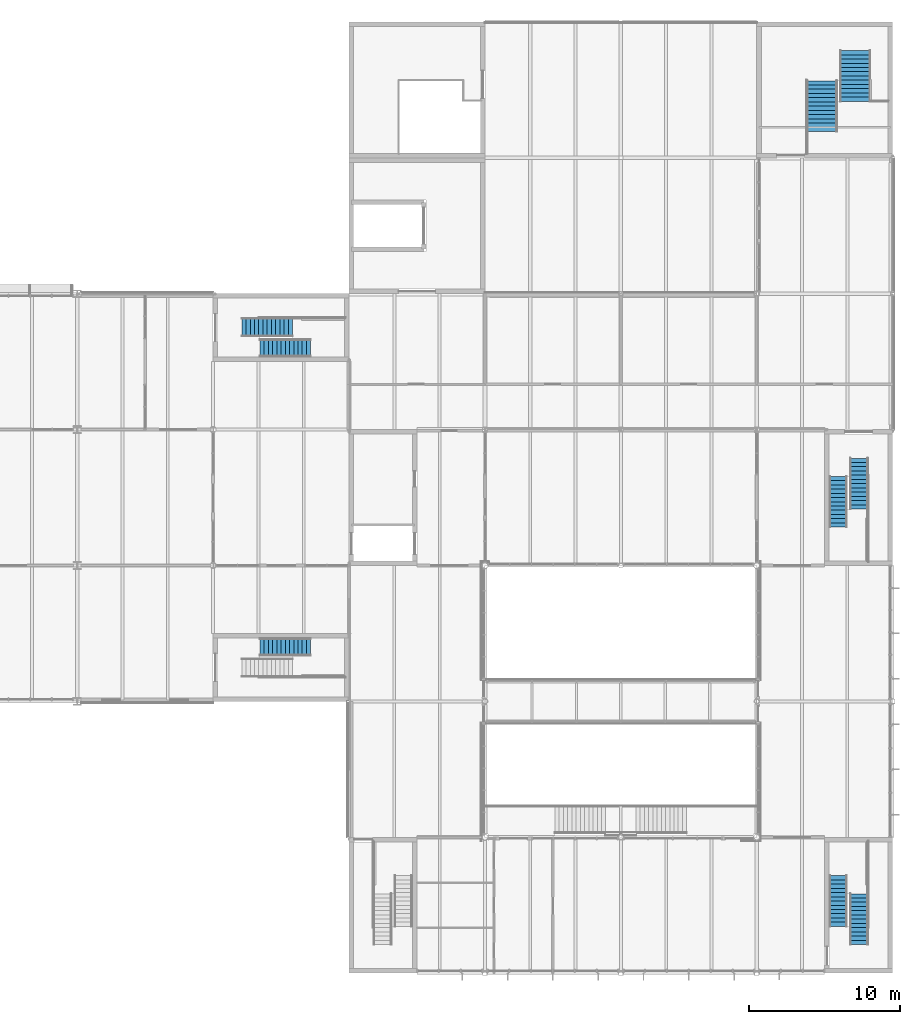
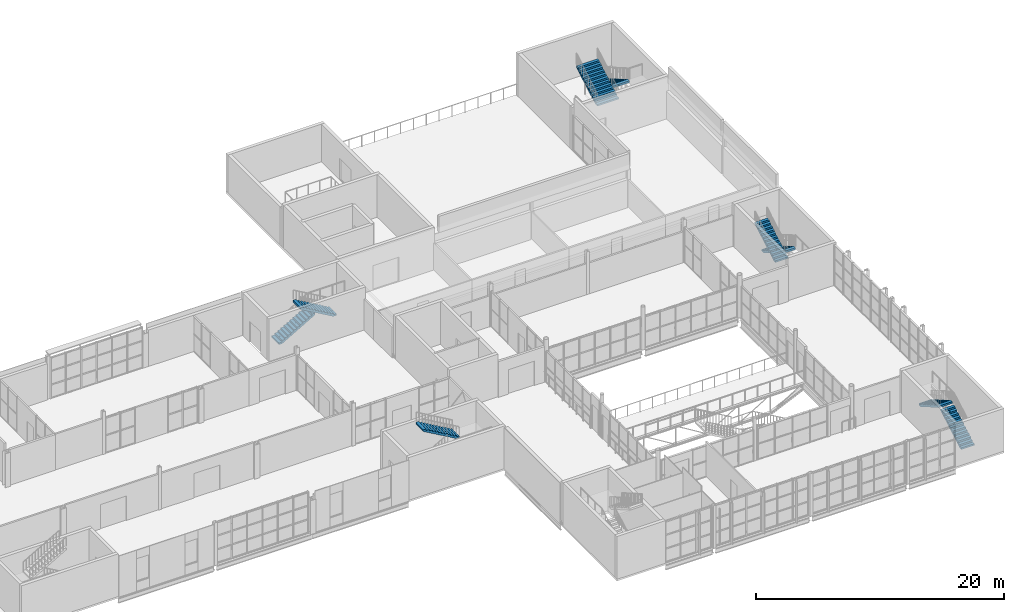
# One storey, part 46 of 61: 9 stair flights, 5 elements without a shape of their own.
"""IFC4 building model written with IfcOpenShell, lengths in metres."""

import ifcopenshell
import ifcopenshell.guid

model = None  # the IFC model being written
_history = None  # IfcOwnerHistory: only IFC2X3 demands one
_inside = {}  # id of a spatial element -> (the spatial element, [elements in it])
_under = {}  # id of a project, library or spatial element -> (it, [spatial elements below it])
_declared = {}  # id of a project -> (the project, [libraries it declares])
_typed = {}  # id of a type object -> (the type object, [elements of that type])
_made_of = {}  # id of a material, layer set ... -> (it, [elements and type objects made of it])


def new_model(schema):
    """Start an empty IFC model of exactly this schema.

    Asked for "IFC4X3", IfcOpenShell would pick the latest addendum, in which some entities
    have other attributes; the version numbers below select the first issue.
    IFC2X3 requires an IfcOwnerHistory on every rooted entity: one is made here for all.
    """
    global model, _history
    if schema == "IFC4X3":
        model = ifcopenshell.file(schema_version=(4, 3, 0, 0))
    else:
        model = ifcopenshell.file(schema=schema)
    _inside.clear()
    _under.clear()
    _declared.clear()
    _typed.clear()
    _made_of.clear()
    _history = None
    if model.schema == "IFC2X3":
        org = make("IfcOrganization", Name="unknown")
        user = make(
            "IfcPersonAndOrganization",
            ThePerson=make("IfcPerson", FamilyName="unknown"),
            TheOrganization=org,
        )
        app = make(
            "IfcApplication",
            ApplicationDeveloper=org,
            Version="unknown",
            ApplicationFullName="unknown",
            ApplicationIdentifier="unknown",
        )
        _history = make(
            "IfcOwnerHistory",
            OwningUser=user,
            OwningApplication=app,
            ChangeAction="ADDED",
            CreationDate=0,
        )
    return model


def make(cls, **values):
    """One entity of the class cls with the attributes given. An attribute that is None is left unset."""
    return model.create_entity(
        cls, **{name: value for name, value in values.items() if value is not None}
    )


def rooted(cls, **values):
    """An entity with a GlobalId (a new one), such as an element, a storey or a relation."""
    return make(cls, GlobalId=ifcopenshell.guid.new(), OwnerHistory=_history, **values)


def si_unit(unit_type, name, prefix=None):
    """IfcSIUnit, for example si_unit("LENGTHUNIT", "METRE", prefix="MILLI")."""
    return make("IfcSIUnit", UnitType=unit_type, Prefix=prefix, Name=name)


def assignment(units):
    """IfcUnitAssignment: the units of a project."""
    return None if units is None else make("IfcUnitAssignment", Units=units)


def point(xyz):
    """IfcCartesianPoint."""
    return None if xyz is None else make("IfcCartesianPoint", Coordinates=xyz)


def direction(xyz):
    """IfcDirection."""
    return None if xyz is None else make("IfcDirection", DirectionRatios=xyz)


def frame(location, z_axis=None, x_axis=None):
    """IfcAxis2Placement3D, a coordinate frame: its origin and axes. An axis left out is left unset."""
    return make(
        "IfcAxis2Placement3D",
        Location=point(location),
        Axis=direction(z_axis),
        RefDirection=direction(x_axis),
    )


def origin():
    """The frame at (0, 0, 0) with its axes left unset."""
    return frame((0.0, 0.0, 0.0))


def place(relative_to, where):
    """IfcLocalPlacement: puts the frame where relative to a parent placement (None: the world)."""
    return make(
        "IfcLocalPlacement", PlacementRelTo=relative_to, RelativePlacement=where
    )


def context(
    kind, dimensions, precision=None, world=None, true_north=None, identifier=None
):
    """IfcGeometricRepresentationContext, for example the 3D "Model" context."""
    return make(
        "IfcGeometricRepresentationContext",
        ContextIdentifier=identifier,
        ContextType=kind,
        CoordinateSpaceDimension=dimensions,
        Precision=precision,
        WorldCoordinateSystem=world,
        TrueNorth=true_north,
    )


def subcontext(parent, identifier, kind, view, scale=None):
    """IfcGeometricRepresentationSubContext, for example "Body" below "Model"."""
    return make(
        "IfcGeometricRepresentationSubContext",
        ContextIdentifier=identifier,
        ContextType=kind,
        ParentContext=parent,
        TargetScale=scale,
        TargetView=view,
    )


def project(units=None, contexts=None):
    """IfcProject with its units and contexts."""
    return rooted(
        "IfcProject",
        Name="project",
        RepresentationContexts=contexts,
        UnitsInContext=assignment(units),
    )


def spatial(cls, under=None, at=None, **own):
    """A site, building, storey or space (cls), placed at a placement, below another one or the project."""
    s = rooted(cls, ObjectPlacement=at, **own)
    if under is not None:
        _under.setdefault(under.id(), (under, []))[1].append(s)
    return s


def polyline(points):
    """IfcPolyline through the points."""
    return make("IfcPolyline", Points=[point(p) for p in points])


def outline(outer, holes=None, kind="AREA"):
    """IfcArbitraryClosedProfileDef: a profile drawn as a closed curve; with holes, ...WithVoids."""
    if holes is None:
        return make("IfcArbitraryClosedProfileDef", ProfileType=kind, OuterCurve=outer)
    return make(
        "IfcArbitraryProfileDefWithVoids",
        ProfileType=kind,
        OuterCurve=outer,
        InnerCurves=holes,
    )


def extrude(swept, where, along, depth):
    """IfcExtrudedAreaSolid: the profile swept, set in the frame where, extruded along a direction by depth."""
    return make(
        "IfcExtrudedAreaSolid",
        SweptArea=swept,
        Position=where,
        ExtrudedDirection=direction(along),
        Depth=depth,
    )


def shape(context_of_items, identifier, shape_type, items):
    """IfcShapeRepresentation: the items that make up one representation, for example the "Body"."""
    return make(
        "IfcShapeRepresentation",
        ContextOfItems=context_of_items,
        RepresentationIdentifier=identifier,
        RepresentationType=shape_type,
        Items=items,
    )


def material(Name=None, Category=None):
    """IfcMaterial."""
    return make("IfcMaterial", Name=Name, Category=Category)


def made_of(thing, what):
    """Note that an element or type object is made of a material, layer set ...; save() writes the relation."""
    if what is not None:
        _made_of.setdefault(what.id(), (what, []))[1].append(thing)
    return thing


def type_object(cls, material=None, **own):
    """A type object (cls), such as IfcWallType, which elements share."""
    return made_of(rooted(cls, **own), material)


def element(
    cls,
    number,
    at=None,
    inside=None,
    cuts=None,
    type_object=None,
    material=None,
    context=None,
    identifier="Body",
    shape_type=None,
    held_by="IfcProductDefinitionShape",
    body=None,
    shapes=None,
    **own,
):
    """One element of the class cls, such as IfcWall. Its Tag is "e" and its number.

    at: its placement. inside: the storey or other place that contains it. cuts: it is an
    opening in that element (IfcRelVoidsElement). A single representation is given by context,
    identifier, shape_type and body (its items); several are given by shapes. held_by: the class
    of the entity that holds the representations. save() writes the other relations.
    """
    e = rooted(cls, Tag="e%d" % number, ObjectPlacement=at, **own)
    if body is not None:
        shapes = [shape(context, identifier, shape_type, body)]
    if shapes is not None:
        e.Representation = make(held_by, Representations=shapes)
    if inside is not None:
        _inside.setdefault(inside.id(), (inside, []))[1].append(e)
    if cuts is not None:
        rooted(
            "IfcRelVoidsElement", RelatingBuildingElement=cuts, RelatedOpeningElement=e
        )
    if type_object is not None:
        _typed.setdefault(type_object.id(), (type_object, []))[1].append(e)
    return made_of(e, material)


def aggregate(whole, parts):
    """IfcRelAggregates: a whole, such as a stair, and the parts it consists of."""
    return rooted("IfcRelAggregates", RelatingObject=whole, RelatedObjects=parts)


def save(model, path):
    """Write the relations noted so far, then the file.

    IfcRelAggregates (storeys below a building ...), IfcRelContainedInSpatialStructure (elements
    in a storey), IfcRelDefinesByType, IfcRelAssociatesMaterial and IfcRelDeclares: one each for
    every whole, place, type object, material and project.
    """
    for whole, parts in _under.values():
        aggregate(whole, parts)
    for where, things in _inside.values():
        rooted(
            "IfcRelContainedInSpatialStructure",
            RelatedElements=things,
            RelatingStructure=where,
        )
    for kind, things in _typed.values():
        rooted("IfcRelDefinesByType", RelatedObjects=things, RelatingType=kind)
    for what, things in _made_of.values():
        rooted("IfcRelAssociatesMaterial", RelatedObjects=things, RelatingMaterial=what)
    for by, libraries in _declared.values():
        rooted("IfcRelDeclares", RelatingContext=by, RelatedDefinitions=libraries)
    model.write(path)


model = new_model("IFC4")

# Units and contexts
model_context = context("Model", 3, precision=1e-05, world=origin(), true_north=direction((0.0, 1.0)))
body_context = subcontext(model_context, "Body", "Model", "MODEL_VIEW")
ifc_project = project(units=[si_unit("LENGTHUNIT", "METRE"), si_unit("AREAUNIT", "SQUARE_METRE"), si_unit("VOLUMEUNIT", "CUBIC_METRE"), si_unit("PLANEANGLEUNIT", "RADIAN"), si_unit("MASSUNIT", "GRAM", prefix="KILO")], contexts=[model_context])

# Site, building, storey
site_placement = place(None, origin())
site = spatial("IfcSite", under=ifc_project, at=site_placement, CompositionType="ELEMENT")
building_placement = place(site_placement, origin())
building = spatial("IfcBuilding", under=site, at=building_placement, Name="Halyard Row Museum", CompositionType="ELEMENT")
storey_placement = place(building_placement, frame((0.0, 0.0, 9.199951171875)))
storey = spatial("IfcBuildingStorey", under=building, at=storey_placement, Name="L02", CompositionType="ELEMENT", Elevation=9.199951171875)

# Stair, stair flights
ifc_material_1 = material(Name="Concrete 40 MPa", Category="concrete")
stair_type_1 = type_object("IfcStairType", Name="Exit stair two flights 1200", PredefinedType="HALF_TURN_STAIR", material=ifc_material_1)
stair_1_placement = place(storey_placement, origin())
stair_1 = element("IfcStair", 1, at=stair_1_placement, inside=storey, type_object=stair_type_1, Name="Exit stair K1B L02", PredefinedType="HALF_TURN_STAIR")
ifc_material_2 = material(Name="Concrete 40 MPa", Category="concrete")
stair_flight_type_1 = type_object("IfcStairFlightType", Name="Exit stair flight 1200", PredefinedType="STRAIGHT", material=ifc_material_2)
stair_flight_1_placement = place(storey_placement, frame((64.89990234375, 42.75, 0.0), z_axis=(0.0, 0.0, 1.0), x_axis=(1.0, 0.0, 0.0)))
stair_flight_1 = element("IfcStairFlight", 2, at=stair_flight_1_placement, type_object=stair_flight_type_1, Name="STK1B-L02 flight 1", NumberOfRisers=13, NumberOfTreads=12, PredefinedType="STRAIGHT", RiserHeight=0.161538462, TreadLength=0.28, context=body_context, shape_type="SweptSolid", body=[
    extrude(outline(polyline([(0.0, 0.0), (0.0, 0.16162109375), (0.280029296875, 0.16162109375), (0.280029296875, 0.322998046875), (0.56005859375, 0.322998046875), (0.56005859375, 0.484619140625), (0.840087890625, 0.484619140625), (0.840087890625, 0.646240234375), (1.1201171875, 0.646240234375), (1.1201171875, 0.8076171875), (1.39990234375, 0.8076171875), (1.39990234375, 0.96923828125), (1.679931640625, 0.96923828125), (1.679931640625, 1.130859375), (1.9599609375, 1.130859375), (1.9599609375, 1.292236328125), (2.239990234375, 1.292236328125), (2.239990234375, 1.453857421875), (2.52001953125, 1.453857421875), (2.52001953125, 1.615478515625), (2.800048828125, 1.615478515625), (2.800048828125, 1.77685546875), (3.080078125, 1.77685546875), (3.080078125, 1.9384765625), (3.360107421875, 1.9384765625), (3.360107421875, 2.10009765625), (3.360107421875, 1.765380859375), (0.300048828125, 0.0), (0.0, 0.0)])), frame((0.0, 0.60009765625, 0.0), z_axis=(0.0, -1.0, 0.0), x_axis=(1.0, 0.0, 0.0)), (0.0, 0.0, 1.0), 0.59912109375),
    extrude(outline(polyline([(0.0, 0.0), (0.0, 0.16162109375), (0.280029296875, 0.16162109375), (0.280029296875, 0.322998046875), (0.56005859375, 0.322998046875), (0.56005859375, 0.484619140625), (0.840087890625, 0.484619140625), (0.840087890625, 0.646240234375), (1.1201171875, 0.646240234375), (1.1201171875, 0.8076171875), (1.39990234375, 0.8076171875), (1.39990234375, 0.96923828125), (1.679931640625, 0.96923828125), (1.679931640625, 1.130859375), (1.9599609375, 1.130859375), (1.9599609375, 1.292236328125), (2.239990234375, 1.292236328125), (2.239990234375, 1.453857421875), (2.52001953125, 1.453857421875), (2.52001953125, 1.615478515625), (2.800048828125, 1.615478515625), (2.800048828125, 1.77685546875), (3.080078125, 1.77685546875), (3.080078125, 1.9384765625), (3.360107421875, 1.9384765625), (3.360107421875, 2.10009765625), (3.360107421875, 1.765380859375), (0.300048828125, 0.0), (0.0, 0.0)])), frame((0.0, -0.0009765625, 0.0), z_axis=(0.0, -1.0, 0.0), x_axis=(1.0, 0.0, 0.0)), (0.0, 0.0, 1.0), 0.59912109375),
])
stair_flight_2_placement = place(storey_placement, frame((69.4599609375, 41.39990234375, 2.10009765625), z_axis=(0.0, 0.0, 1.0), x_axis=(-1.0, 0.0, 0.0)))
stair_flight_2 = element("IfcStairFlight", 3, at=stair_flight_2_placement, type_object=stair_flight_type_1, Name="STK1B-L02 flight 2", NumberOfRisers=13, NumberOfTreads=12, PredefinedType="STRAIGHT", RiserHeight=0.161538462, TreadLength=0.28, context=body_context, shape_type="SweptSolid", body=[
    extrude(outline(polyline([(0.0, 0.0), (0.0, 0.16162109375), (0.280029296875, 0.16162109375), (0.280029296875, 0.322998046875), (0.56005859375, 0.322998046875), (0.56005859375, 0.484619140625), (0.840087890625, 0.484619140625), (0.840087890625, 0.646240234375), (1.1201171875, 0.646240234375), (1.1201171875, 0.8076171875), (1.39990234375, 0.8076171875), (1.39990234375, 0.96923828125), (1.679931640625, 0.96923828125), (1.679931640625, 1.130859375), (1.9599609375, 1.130859375), (1.9599609375, 1.292236328125), (2.239990234375, 1.292236328125), (2.239990234375, 1.453857421875), (2.52001953125, 1.453857421875), (2.52001953125, 1.615478515625), (2.800048828125, 1.615478515625), (2.800048828125, 1.77685546875), (3.080078125, 1.77685546875), (3.080078125, 1.9384765625), (3.360107421875, 1.9384765625), (3.360107421875, 2.10009765625), (3.360107421875, 1.765380859375), (0.300048828125, 0.0), (0.0, 0.0)])), frame((0.0, 0.60009765625, 0.0), z_axis=(0.0, -1.0, 0.0), x_axis=(1.0, 0.0, 0.0)), (0.0, 0.0, 1.0), 0.59912109375),
    extrude(outline(polyline([(0.0, 0.0), (0.0, 0.16162109375), (0.280029296875, 0.16162109375), (0.280029296875, 0.322998046875), (0.56005859375, 0.322998046875), (0.56005859375, 0.484619140625), (0.840087890625, 0.484619140625), (0.840087890625, 0.646240234375), (1.1201171875, 0.646240234375), (1.1201171875, 0.8076171875), (1.39990234375, 0.8076171875), (1.39990234375, 0.96923828125), (1.679931640625, 0.96923828125), (1.679931640625, 1.130859375), (1.9599609375, 1.130859375), (1.9599609375, 1.292236328125), (2.239990234375, 1.292236328125), (2.239990234375, 1.453857421875), (2.52001953125, 1.453857421875), (2.52001953125, 1.615478515625), (2.800048828125, 1.615478515625), (2.800048828125, 1.77685546875), (3.080078125, 1.77685546875), (3.080078125, 1.9384765625), (3.360107421875, 1.9384765625), (3.360107421875, 2.10009765625), (3.360107421875, 1.765380859375), (0.300048828125, 0.0), (0.0, 0.0)])), frame((0.0, -0.0009765625, 0.0), z_axis=(0.0, -1.0, 0.0), x_axis=(1.0, 0.0, 0.0)), (0.0, 0.0, 1.0), 0.59912109375),
])
aggregate(stair_1, [stair_flight_1, stair_flight_2])

# Stair, stair flight
stair_2_placement = place(storey_placement, origin())
stair_2 = element("IfcStair", 4, at=stair_2_placement, inside=storey, type_object=stair_type_1, Name="Exit stair K1C L02", PredefinedType="HALF_TURN_STAIR")
stair_flight_3_placement = place(storey_placement, frame((69.4599609375, 21.60009765625, 2.10009765625), z_axis=(0.0, 0.0, 1.0), x_axis=(-1.0, 0.0, 0.0)))
stair_flight_3 = element("IfcStairFlight", 5, at=stair_flight_3_placement, type_object=stair_flight_type_1, Name="STK1C-L02 flight 2", NumberOfRisers=13, NumberOfTreads=12, PredefinedType="STRAIGHT", RiserHeight=0.161538462, TreadLength=0.28, context=body_context, shape_type="SweptSolid", body=[
    extrude(outline(polyline([(0.0, 0.0), (0.0, 0.16162109375), (0.280029296875, 0.16162109375), (0.280029296875, 0.322998046875), (0.56005859375, 0.322998046875), (0.56005859375, 0.484619140625), (0.840087890625, 0.484619140625), (0.840087890625, 0.646240234375), (1.1201171875, 0.646240234375), (1.1201171875, 0.8076171875), (1.39990234375, 0.8076171875), (1.39990234375, 0.96923828125), (1.679931640625, 0.96923828125), (1.679931640625, 1.130859375), (1.9599609375, 1.130859375), (1.9599609375, 1.292236328125), (2.239990234375, 1.292236328125), (2.239990234375, 1.453857421875), (2.52001953125, 1.453857421875), (2.52001953125, 1.615478515625), (2.800048828125, 1.615478515625), (2.800048828125, 1.77685546875), (3.080078125, 1.77685546875), (3.080078125, 1.9384765625), (3.360107421875, 1.9384765625), (3.360107421875, 2.10009765625), (3.360107421875, 1.765380859375), (0.300048828125, 0.0), (0.0, 0.0)])), frame((0.0, 0.60009765625, 0.0), z_axis=(0.0, -1.0, 0.0), x_axis=(1.0, 0.0, 0.0)), (0.0, 0.0, 1.0), 0.59912109375),
    extrude(outline(polyline([(0.0, 0.0), (0.0, 0.16162109375), (0.280029296875, 0.16162109375), (0.280029296875, 0.322998046875), (0.56005859375, 0.322998046875), (0.56005859375, 0.484619140625), (0.840087890625, 0.484619140625), (0.840087890625, 0.646240234375), (1.1201171875, 0.646240234375), (1.1201171875, 0.8076171875), (1.39990234375, 0.8076171875), (1.39990234375, 0.96923828125), (1.679931640625, 0.96923828125), (1.679931640625, 1.130859375), (1.9599609375, 1.130859375), (1.9599609375, 1.292236328125), (2.239990234375, 1.292236328125), (2.239990234375, 1.453857421875), (2.52001953125, 1.453857421875), (2.52001953125, 1.615478515625), (2.800048828125, 1.615478515625), (2.800048828125, 1.77685546875), (3.080078125, 1.77685546875), (3.080078125, 1.9384765625), (3.360107421875, 1.9384765625), (3.360107421875, 2.10009765625), (3.360107421875, 1.765380859375), (0.300048828125, 0.0), (0.0, 0.0)])), frame((0.0, -0.0009765625, 0.0), z_axis=(0.0, -1.0, 0.0), x_axis=(1.0, 0.0, 0.0)), (0.0, 0.0, 1.0), 0.59912109375),
])
aggregate(stair_2, [stair_flight_3])

# Stair, stair flights
stair_3_placement = place(storey_placement, origin())
stair_3 = element("IfcStair", 6, at=stair_3_placement, inside=storey, type_object=stair_type_1, Name="Exit stair K2B L02", PredefinedType="HALF_TURN_STAIR")
stair_flight_4_placement = place(storey_placement, frame((105.75, 1.89990234375, 0.0), z_axis=(0.0, 0.0, 1.0), x_axis=(0.0, 1.0, 0.0)))
stair_flight_4 = element("IfcStairFlight", 7, at=stair_flight_4_placement, type_object=stair_flight_type_1, Name="STK2B-L02 flight 1", NumberOfRisers=13, NumberOfTreads=12, PredefinedType="STRAIGHT", RiserHeight=0.161538462, TreadLength=0.28, context=body_context, shape_type="SweptSolid", body=[
    extrude(outline(polyline([(0.0, 0.0), (0.0, 0.16162109375), (0.280029296875, 0.16162109375), (0.280029296875, 0.322998046875), (0.56005859375, 0.322998046875), (0.56005859375, 0.484619140625), (0.840087890625, 0.484619140625), (0.840087890625, 0.646240234375), (1.1201171875, 0.646240234375), (1.1201171875, 0.8076171875), (1.39990234375, 0.8076171875), (1.39990234375, 0.96923828125), (1.679931640625, 0.96923828125), (1.679931640625, 1.130859375), (1.9599609375, 1.130859375), (1.9599609375, 1.292236328125), (2.239990234375, 1.292236328125), (2.239990234375, 1.453857421875), (2.52001953125, 1.453857421875), (2.52001953125, 1.615478515625), (2.800048828125, 1.615478515625), (2.800048828125, 1.77685546875), (3.080078125, 1.77685546875), (3.080078125, 1.9384765625), (3.360107421875, 1.9384765625), (3.360107421875, 2.10009765625), (3.360107421875, 1.765380859375), (0.300048828125, 0.0), (0.0, 0.0)])), frame((0.0, 0.60009765625, 0.0), z_axis=(0.0, -1.0, 0.0), x_axis=(1.0, 0.0, 0.0)), (0.0, 0.0, 1.0), 0.59912109375),
    extrude(outline(polyline([(0.0, 0.0), (0.0, 0.16162109375), (0.280029296875, 0.16162109375), (0.280029296875, 0.322998046875), (0.56005859375, 0.322998046875), (0.56005859375, 0.484619140625), (0.840087890625, 0.484619140625), (0.840087890625, 0.646240234375), (1.1201171875, 0.646240234375), (1.1201171875, 0.8076171875), (1.39990234375, 0.8076171875), (1.39990234375, 0.96923828125), (1.679931640625, 0.96923828125), (1.679931640625, 1.130859375), (1.9599609375, 1.130859375), (1.9599609375, 1.292236328125), (2.239990234375, 1.292236328125), (2.239990234375, 1.453857421875), (2.52001953125, 1.453857421875), (2.52001953125, 1.615478515625), (2.800048828125, 1.615478515625), (2.800048828125, 1.77685546875), (3.080078125, 1.77685546875), (3.080078125, 1.9384765625), (3.360107421875, 1.9384765625), (3.360107421875, 2.10009765625), (3.360107421875, 1.765380859375), (0.300048828125, 0.0), (0.0, 0.0)])), frame((0.0, -0.0009765625, 0.0), z_axis=(0.0, -1.0, 0.0), x_axis=(1.0, 0.0, 0.0)), (0.0, 0.0, 1.0), 0.59912109375),
])
stair_flight_5_placement = place(storey_placement, frame((104.39990234375, 6.4599609375, 2.10009765625), z_axis=(0.0, 0.0, 1.0), x_axis=(0.0, -1.0, 0.0)))
stair_flight_5 = element("IfcStairFlight", 8, at=stair_flight_5_placement, type_object=stair_flight_type_1, Name="STK2B-L02 flight 2", NumberOfRisers=13, NumberOfTreads=12, PredefinedType="STRAIGHT", RiserHeight=0.161538462, TreadLength=0.28, context=body_context, shape_type="SweptSolid", body=[
    extrude(outline(polyline([(0.0, 0.0), (0.0, 0.16162109375), (0.280029296875, 0.16162109375), (0.280029296875, 0.322998046875), (0.56005859375, 0.322998046875), (0.56005859375, 0.484619140625), (0.840087890625, 0.484619140625), (0.840087890625, 0.646240234375), (1.1201171875, 0.646240234375), (1.1201171875, 0.8076171875), (1.39990234375, 0.8076171875), (1.39990234375, 0.96923828125), (1.679931640625, 0.96923828125), (1.679931640625, 1.130859375), (1.9599609375, 1.130859375), (1.9599609375, 1.292236328125), (2.239990234375, 1.292236328125), (2.239990234375, 1.453857421875), (2.52001953125, 1.453857421875), (2.52001953125, 1.615478515625), (2.800048828125, 1.615478515625), (2.800048828125, 1.77685546875), (3.080078125, 1.77685546875), (3.080078125, 1.9384765625), (3.360107421875, 1.9384765625), (3.360107421875, 2.10009765625), (3.360107421875, 1.765380859375), (0.300048828125, 0.0), (0.0, 0.0)])), frame((0.0, 0.60009765625, 0.0), z_axis=(0.0, -1.0, 0.0), x_axis=(1.0, 0.0, 0.0)), (0.0, 0.0, 1.0), 0.59912109375),
    extrude(outline(polyline([(0.0, 0.0), (0.0, 0.16162109375), (0.280029296875, 0.16162109375), (0.280029296875, 0.322998046875), (0.56005859375, 0.322998046875), (0.56005859375, 0.484619140625), (0.840087890625, 0.484619140625), (0.840087890625, 0.646240234375), (1.1201171875, 0.646240234375), (1.1201171875, 0.8076171875), (1.39990234375, 0.8076171875), (1.39990234375, 0.96923828125), (1.679931640625, 0.96923828125), (1.679931640625, 1.130859375), (1.9599609375, 1.130859375), (1.9599609375, 1.292236328125), (2.239990234375, 1.292236328125), (2.239990234375, 1.453857421875), (2.52001953125, 1.453857421875), (2.52001953125, 1.615478515625), (2.800048828125, 1.615478515625), (2.800048828125, 1.77685546875), (3.080078125, 1.77685546875), (3.080078125, 1.9384765625), (3.360107421875, 1.9384765625), (3.360107421875, 2.10009765625), (3.360107421875, 1.765380859375), (0.300048828125, 0.0), (0.0, 0.0)])), frame((0.0, -0.0009765625, 0.0), z_axis=(0.0, -1.0, 0.0), x_axis=(1.0, 0.0, 0.0)), (0.0, 0.0, 1.0), 0.59912109375),
])
aggregate(stair_3, [stair_flight_4, stair_flight_5])

stair_4_placement = place(storey_placement, origin())
stair_4 = element("IfcStair", 9, at=stair_4_placement, inside=storey, type_object=stair_type_1, Name="Exit stair K2C L02", PredefinedType="HALF_TURN_STAIR")
stair_flight_6_placement = place(storey_placement, frame((105.75, 34.10009765625, 0.0), z_axis=(0.0, 0.0, 1.0), x_axis=(0.0, -1.0, 0.0)))
stair_flight_6 = element("IfcStairFlight", 10, at=stair_flight_6_placement, type_object=stair_flight_type_1, Name="STK2C-L02 flight 1", NumberOfRisers=13, NumberOfTreads=12, PredefinedType="STRAIGHT", RiserHeight=0.161538462, TreadLength=0.28, context=body_context, shape_type="SweptSolid", body=[
    extrude(outline(polyline([(0.0, 0.0), (0.0, 0.16162109375), (0.280029296875, 0.16162109375), (0.280029296875, 0.322998046875), (0.56005859375, 0.322998046875), (0.56005859375, 0.484619140625), (0.840087890625, 0.484619140625), (0.840087890625, 0.646240234375), (1.1201171875, 0.646240234375), (1.1201171875, 0.8076171875), (1.39990234375, 0.8076171875), (1.39990234375, 0.96923828125), (1.679931640625, 0.96923828125), (1.679931640625, 1.130859375), (1.9599609375, 1.130859375), (1.9599609375, 1.292236328125), (2.239990234375, 1.292236328125), (2.239990234375, 1.453857421875), (2.52001953125, 1.453857421875), (2.52001953125, 1.615478515625), (2.800048828125, 1.615478515625), (2.800048828125, 1.77685546875), (3.080078125, 1.77685546875), (3.080078125, 1.9384765625), (3.360107421875, 1.9384765625), (3.360107421875, 2.10009765625), (3.360107421875, 1.765380859375), (0.300048828125, 0.0), (0.0, 0.0)])), frame((0.0, 0.60009765625, 0.0), z_axis=(0.0, -1.0, 0.0), x_axis=(1.0, 0.0, 0.0)), (0.0, 0.0, 1.0), 0.59912109375),
    extrude(outline(polyline([(0.0, 0.0), (0.0, 0.16162109375), (0.280029296875, 0.16162109375), (0.280029296875, 0.322998046875), (0.56005859375, 0.322998046875), (0.56005859375, 0.484619140625), (0.840087890625, 0.484619140625), (0.840087890625, 0.646240234375), (1.1201171875, 0.646240234375), (1.1201171875, 0.8076171875), (1.39990234375, 0.8076171875), (1.39990234375, 0.96923828125), (1.679931640625, 0.96923828125), (1.679931640625, 1.130859375), (1.9599609375, 1.130859375), (1.9599609375, 1.292236328125), (2.239990234375, 1.292236328125), (2.239990234375, 1.453857421875), (2.52001953125, 1.453857421875), (2.52001953125, 1.615478515625), (2.800048828125, 1.615478515625), (2.800048828125, 1.77685546875), (3.080078125, 1.77685546875), (3.080078125, 1.9384765625), (3.360107421875, 1.9384765625), (3.360107421875, 2.10009765625), (3.360107421875, 1.765380859375), (0.300048828125, 0.0), (0.0, 0.0)])), frame((0.0, -0.0009765625, 0.0), z_axis=(0.0, -1.0, 0.0), x_axis=(1.0, 0.0, 0.0)), (0.0, 0.0, 1.0), 0.59912109375),
])
stair_flight_7_placement = place(storey_placement, frame((104.39990234375, 29.5400390625, 2.10009765625), z_axis=(0.0, 0.0, 1.0), x_axis=(0.0, 1.0, 0.0)))
stair_flight_7 = element("IfcStairFlight", 11, at=stair_flight_7_placement, type_object=stair_flight_type_1, Name="STK2C-L02 flight 2", NumberOfRisers=13, NumberOfTreads=12, PredefinedType="STRAIGHT", RiserHeight=0.161538462, TreadLength=0.28, context=body_context, shape_type="SweptSolid", body=[
    extrude(outline(polyline([(0.0, 0.0), (0.0, 0.16162109375), (0.280029296875, 0.16162109375), (0.280029296875, 0.322998046875), (0.56005859375, 0.322998046875), (0.56005859375, 0.484619140625), (0.840087890625, 0.484619140625), (0.840087890625, 0.646240234375), (1.1201171875, 0.646240234375), (1.1201171875, 0.8076171875), (1.39990234375, 0.8076171875), (1.39990234375, 0.96923828125), (1.679931640625, 0.96923828125), (1.679931640625, 1.130859375), (1.9599609375, 1.130859375), (1.9599609375, 1.292236328125), (2.239990234375, 1.292236328125), (2.239990234375, 1.453857421875), (2.52001953125, 1.453857421875), (2.52001953125, 1.615478515625), (2.800048828125, 1.615478515625), (2.800048828125, 1.77685546875), (3.080078125, 1.77685546875), (3.080078125, 1.9384765625), (3.360107421875, 1.9384765625), (3.360107421875, 2.10009765625), (3.360107421875, 1.765380859375), (0.300048828125, 0.0), (0.0, 0.0)])), frame((0.0, 0.60009765625, 0.0), z_axis=(0.0, -1.0, 0.0), x_axis=(1.0, 0.0, 0.0)), (0.0, 0.0, 1.0), 0.59912109375),
    extrude(outline(polyline([(0.0, 0.0), (0.0, 0.16162109375), (0.280029296875, 0.16162109375), (0.280029296875, 0.322998046875), (0.56005859375, 0.322998046875), (0.56005859375, 0.484619140625), (0.840087890625, 0.484619140625), (0.840087890625, 0.646240234375), (1.1201171875, 0.646240234375), (1.1201171875, 0.8076171875), (1.39990234375, 0.8076171875), (1.39990234375, 0.96923828125), (1.679931640625, 0.96923828125), (1.679931640625, 1.130859375), (1.9599609375, 1.130859375), (1.9599609375, 1.292236328125), (2.239990234375, 1.292236328125), (2.239990234375, 1.453857421875), (2.52001953125, 1.453857421875), (2.52001953125, 1.615478515625), (2.800048828125, 1.615478515625), (2.800048828125, 1.77685546875), (3.080078125, 1.77685546875), (3.080078125, 1.9384765625), (3.360107421875, 1.9384765625), (3.360107421875, 2.10009765625), (3.360107421875, 1.765380859375), (0.300048828125, 0.0), (0.0, 0.0)])), frame((0.0, -0.0009765625, 0.0), z_axis=(0.0, -1.0, 0.0), x_axis=(1.0, 0.0, 0.0)), (0.0, 0.0, 1.0), 0.59912109375),
])
aggregate(stair_4, [stair_flight_6, stair_flight_7])

ifc_material_3 = material(Name="Concrete 40 MPa", Category="concrete")
stair_type_2 = type_object("IfcStairType", Name="Exit stair two flights 2000", PredefinedType="HALF_TURN_STAIR", material=ifc_material_3)
stair_5_placement = place(storey_placement, origin())
stair_5 = element("IfcStair", 12, at=stair_5_placement, inside=storey, type_object=stair_type_2, Name="Exit stair K5B L02", PredefinedType="HALF_TURN_STAIR")
ifc_material_4 = material(Name="Concrete 40 MPa", Category="concrete")
stair_flight_type_2 = type_object("IfcStairFlightType", Name="Exit stair flight 2000", PredefinedType="STRAIGHT", material=ifc_material_4)
stair_flight_8_placement = place(storey_placement, frame((105.5, 61.10009765625, 0.0), z_axis=(0.0, 0.0, 1.0), x_axis=(0.0, -1.0, 0.0)))
stair_flight_8 = element("IfcStairFlight", 13, at=stair_flight_8_placement, type_object=stair_flight_type_2, Name="STK5B-L02 flight 1", NumberOfRisers=13, NumberOfTreads=12, PredefinedType="STRAIGHT", RiserHeight=0.161538462, TreadLength=0.28, context=body_context, shape_type="SweptSolid", body=[
    extrude(outline(polyline([(0.0, 0.0), (0.0, 0.16162109375), (0.280029296875, 0.16162109375), (0.280029296875, 0.322998046875), (0.56005859375, 0.322998046875), (0.56005859375, 0.484619140625), (0.840087890625, 0.484619140625), (0.840087890625, 0.646240234375), (1.1201171875, 0.646240234375), (1.1201171875, 0.8076171875), (1.39990234375, 0.8076171875), (1.39990234375, 0.96923828125), (1.679931640625, 0.96923828125), (1.679931640625, 1.130859375), (1.9599609375, 1.130859375), (1.9599609375, 1.292236328125), (2.239990234375, 1.292236328125), (2.239990234375, 1.453857421875), (2.52001953125, 1.453857421875), (2.52001953125, 1.615478515625), (2.800048828125, 1.615478515625), (2.800048828125, 1.77685546875), (3.080078125, 1.77685546875), (3.080078125, 1.9384765625), (3.360107421875, 1.9384765625), (3.360107421875, 2.10009765625), (3.360107421875, 1.765380859375), (0.300048828125, 0.0), (0.0, 0.0)])), frame((0.0, 1.0, 0.0), z_axis=(0.0, -1.0, 0.0), x_axis=(1.0, 0.0, 0.0)), (0.0, 0.0, 1.0), 0.9990234375),
    extrude(outline(polyline([(0.0, 0.0), (0.0, 0.16162109375), (0.280029296875, 0.16162109375), (0.280029296875, 0.322998046875), (0.56005859375, 0.322998046875), (0.56005859375, 0.484619140625), (0.840087890625, 0.484619140625), (0.840087890625, 0.646240234375), (1.1201171875, 0.646240234375), (1.1201171875, 0.8076171875), (1.39990234375, 0.8076171875), (1.39990234375, 0.96923828125), (1.679931640625, 0.96923828125), (1.679931640625, 1.130859375), (1.9599609375, 1.130859375), (1.9599609375, 1.292236328125), (2.239990234375, 1.292236328125), (2.239990234375, 1.453857421875), (2.52001953125, 1.453857421875), (2.52001953125, 1.615478515625), (2.800048828125, 1.615478515625), (2.800048828125, 1.77685546875), (3.080078125, 1.77685546875), (3.080078125, 1.9384765625), (3.360107421875, 1.9384765625), (3.360107421875, 2.10009765625), (3.360107421875, 1.765380859375), (0.300048828125, 0.0), (0.0, 0.0)])), frame((0.0, -0.0009765625, 0.0), z_axis=(0.0, -1.0, 0.0), x_axis=(1.0, 0.0, 0.0)), (0.0, 0.0, 1.0), 0.9990234375),
])
stair_flight_9_placement = place(storey_placement, frame((103.35009765625, 55.739990234375, 2.10009765625), z_axis=(0.0, 0.0, 1.0), x_axis=(0.0, 1.0, 0.0)))
stair_flight_9 = element("IfcStairFlight", 14, at=stair_flight_9_placement, type_object=stair_flight_type_2, Name="STK5B-L02 flight 2", NumberOfRisers=13, NumberOfTreads=12, PredefinedType="STRAIGHT", RiserHeight=0.161538462, TreadLength=0.28, context=body_context, shape_type="SweptSolid", body=[
    extrude(outline(polyline([(0.0, 0.0), (0.0, 0.16162109375), (0.280029296875, 0.16162109375), (0.280029296875, 0.322998046875), (0.56005859375, 0.322998046875), (0.56005859375, 0.484619140625), (0.840087890625, 0.484619140625), (0.840087890625, 0.646240234375), (1.1201171875, 0.646240234375), (1.1201171875, 0.8076171875), (1.39990234375, 0.8076171875), (1.39990234375, 0.96923828125), (1.679931640625, 0.96923828125), (1.679931640625, 1.130859375), (1.9599609375, 1.130859375), (1.9599609375, 1.292236328125), (2.239990234375, 1.292236328125), (2.239990234375, 1.453857421875), (2.52001953125, 1.453857421875), (2.52001953125, 1.615478515625), (2.800048828125, 1.615478515625), (2.800048828125, 1.77685546875), (3.080078125, 1.77685546875), (3.080078125, 1.9384765625), (3.360107421875, 1.9384765625), (3.360107421875, 2.10009765625), (3.360107421875, 1.765380859375), (0.300048828125, 0.0), (0.0, 0.0)])), frame((0.0, 1.0, 0.0), z_axis=(0.0, -1.0, 0.0), x_axis=(1.0, 0.0, 0.0)), (0.0, 0.0, 1.0), 0.9990234375),
    extrude(outline(polyline([(0.0, 0.0), (0.0, 0.16162109375), (0.280029296875, 0.16162109375), (0.280029296875, 0.322998046875), (0.56005859375, 0.322998046875), (0.56005859375, 0.484619140625), (0.840087890625, 0.484619140625), (0.840087890625, 0.646240234375), (1.1201171875, 0.646240234375), (1.1201171875, 0.8076171875), (1.39990234375, 0.8076171875), (1.39990234375, 0.96923828125), (1.679931640625, 0.96923828125), (1.679931640625, 1.130859375), (1.9599609375, 1.130859375), (1.9599609375, 1.292236328125), (2.239990234375, 1.292236328125), (2.239990234375, 1.453857421875), (2.52001953125, 1.453857421875), (2.52001953125, 1.615478515625), (2.800048828125, 1.615478515625), (2.800048828125, 1.77685546875), (3.080078125, 1.77685546875), (3.080078125, 1.9384765625), (3.360107421875, 1.9384765625), (3.360107421875, 2.10009765625), (3.360107421875, 1.765380859375), (0.300048828125, 0.0), (0.0, 0.0)])), frame((0.0, -0.0009765625, 0.0), z_axis=(0.0, -1.0, 0.0), x_axis=(1.0, 0.0, 0.0)), (0.0, 0.0, 1.0), 0.9990234375),
])
aggregate(stair_5, [stair_flight_8, stair_flight_9])

save(model, "model.ifc")
